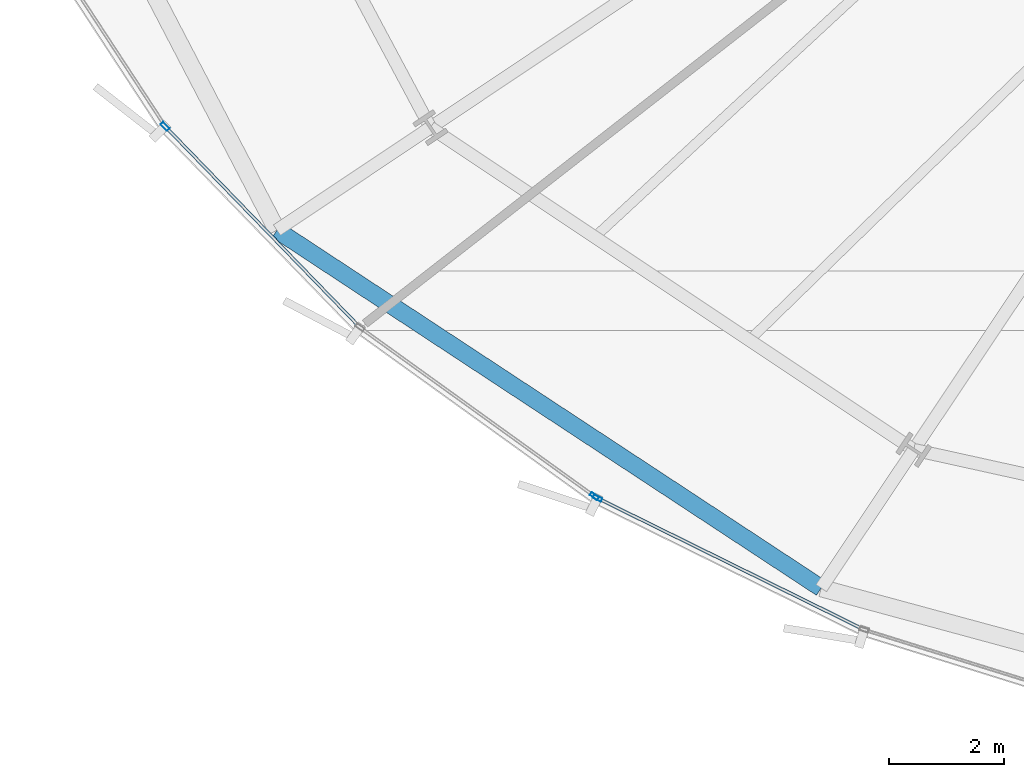
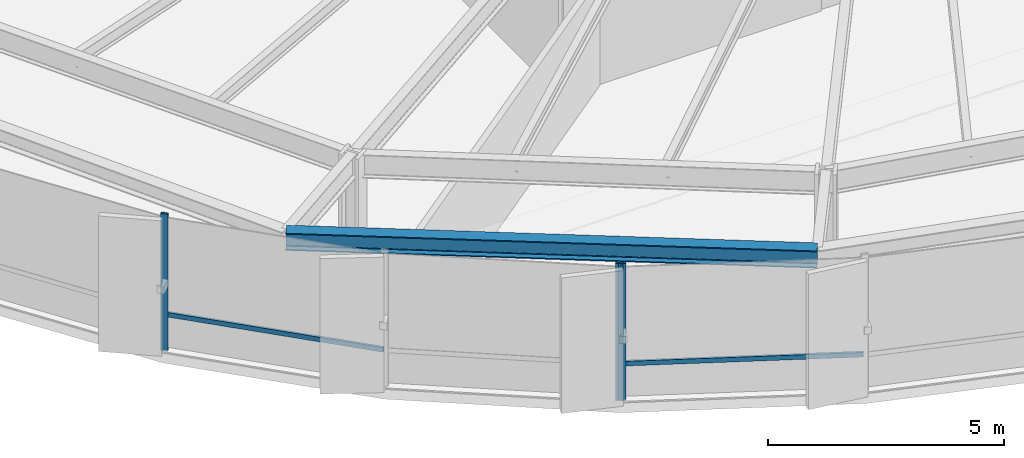
# One storey, part 2 of 39: 5 members, 1 beam, 2 elements without a shape of their own.
"""IFC4 building model written with IfcOpenShell, lengths in metres."""

from ifc_helpers import new_model, si_unit, direction, frame, origin, origin_2d, place, context, subcontext, project, spatial, hollow_rectangle, i_section, extrude, source, transform, mapped, material, layer, layer_set, material_profile, profile_set, type_object, element, aggregate, save


model = new_model("IFC4")

# Units and contexts
model_context = context("Model", 3, precision=1e-05, world=origin(), true_north=direction((0.0, 1.0)))
body_context = subcontext(model_context, "Body", "Model", "MODEL_VIEW")
ifc_project = project(units=[si_unit("LENGTHUNIT", "METRE"), si_unit("AREAUNIT", "SQUARE_METRE"), si_unit("VOLUMEUNIT", "CUBIC_METRE"), si_unit("PLANEANGLEUNIT", "RADIAN"), si_unit("MASSUNIT", "GRAM", prefix="KILO"), si_unit("THERMODYNAMICTEMPERATUREUNIT", "KELVIN")], contexts=[model_context])

# Site, building, storey
site_placement = place(None, origin())
site = spatial("IfcSite", under=ifc_project, at=site_placement, CompositionType="ELEMENT")
building_placement = place(site_placement, origin())
building = spatial("IfcBuilding", under=site, at=building_placement, Name="Kethvar Cultural Tower", CompositionType="ELEMENT")
storey_placement = place(building_placement, frame((0.0, 0.0, 44.800048828125)))
storey = spatial("IfcBuildingStorey", under=building, at=storey_placement, Name="L10", CompositionType="ELEMENT", Elevation=44.800048828125)

# Beam
ifc_material_1 = material(Name="Steel S355J2", Category="steel")
ifc_material_profile_1 = material_profile(ifc_material_1, i_section(OverallWidth=0.300048828125, OverallDepth=0.449951171875, WebThickness=0.013916015625, FlangeThickness=0.02587890625, FilletRadius=0.027099609375, at=origin_2d()), Name="Steel S355J2 — HEB450")
ifc_profile_set_1 = profile_set([ifc_material_profile_1], Name="Steel S355J2 — HEB450")
beam_type = type_object("IfcBeamType", Name="BM-SP450", PredefinedType="SPANDREL", material=ifc_profile_set_1)
shared_shape_1 = source(origin(), body_context, "Body", "SweptSolid", [
    extrude(i_section(OverallWidth=0.300048828125, OverallDepth=0.449951171875, WebThickness=0.013916015625, FlangeThickness=0.02587890625, FilletRadius=0.027099609375, at=origin_2d()), origin(), (0.0, 0.0, 1.0), 11.29296875),
])
beam_placement = place(storey_placement, frame((22.263916015625, 11.405517578125, 3.322998046875), z_axis=(0.83547663589, -0.549525969251, 0.0), x_axis=(0.549525969251, 0.83547663589, 0.0)))
element("IfcBeam", 1, at=beam_placement, inside=storey, type_object=beam_type, Name="L10 Perimeter Spandrel Beam SP-10", PredefinedType="SPANDREL", context=body_context, shape_type="MappedRepresentation", body=[
    mapped(shared_shape_1, transform((0.0, 0.0, 0.0), scale=1.0)),
])

# Curtain wall, members
ifc_material_2 = material(Name="Aluminium 6063-T6", Category="aluminium")
ifc_layer = layer(ifc_material_2, 0.179931640625, Name="Aluminium 6063-T6", Category="aluminium")
ifc_layer_set = layer_set([ifc_layer], Name="Aluminium 6063-T6 (180 mm)")
curtain_wall_type = type_object("IfcCurtainWallType", Name="CW-SYS-02-Z1", PredefinedType="NOTDEFINED", material=ifc_layer_set)
curtain_wall_1_placement = place(storey_placement, origin())
curtain_wall_1 = element("IfcCurtainWall", 2, at=curtain_wall_1_placement, inside=storey, type_object=curtain_wall_type, Name="L10 Curtain Wall Run 04", PredefinedType="NOTDEFINED")
ifc_material_profile_2 = material_profile(ifc_material_2, hollow_rectangle(XDim=0.06494140625, YDim=0.159912109375, WallThickness=0.0048828125, at=origin_2d()), Name="Aluminium 6063-T6 — RHS160x65x5")
ifc_profile_set_2 = profile_set([ifc_material_profile_2], Name="Aluminium 6063-T6 — RHS160x65x5")
member_type_1 = type_object("IfcMemberType", Name="CW-SYS-02-Z1-MUL", PredefinedType="MULLION", material=ifc_profile_set_2)
shared_shape_2 = source(origin(), body_context, "Body", "SweptSolid", [
    extrude(hollow_rectangle(XDim=0.06494140625, YDim=0.159912109375, WallThickness=0.0048828125, at=origin_2d()), origin(), (0.0, 0.0, 1.0), 3.550048828125),
])
member_1_placement = place(storey_placement, frame((20.32568359375, 13.204345703125, 0.0), z_axis=(0.0, 0.0, 1.0), x_axis=(0.71808985887, 0.695950396643, 0.0)))
member_1 = element("IfcMember", 3, at=member_1_placement, type_object=member_type_1, Name="CW-L10-R04 Mullion 5", PredefinedType="MULLION", context=body_context, shape_type="MappedRepresentation", body=[
    mapped(shared_shape_2, transform((0.0, 0.0, 0.0), scale=1.0)),
])
member_2_placement = place(storey_placement, frame((27.765625, 6.792724609375, 0.0), z_axis=(0.0, 0.0, 1.0), x_axis=(0.584178840222, 0.811624964276, 0.0)))
member_2 = element("IfcMember", 4, at=member_2_placement, type_object=member_type_1, Name="CW-L10-R04 Mullion 7", PredefinedType="MULLION", context=body_context, shape_type="MappedRepresentation", body=[
    mapped(shared_shape_2, transform((0.0, 0.0, 0.0), scale=1.0)),
])

curtain_wall_2_placement = place(storey_placement, origin())
curtain_wall_2 = element("IfcCurtainWall", 5, at=curtain_wall_2_placement, inside=storey, type_object=curtain_wall_type, Name="L10 Curtain Wall Run 05", PredefinedType="NOTDEFINED")
member_3_placement = place(storey_placement, frame((27.82080078125, 6.759521484375, 0.0), z_axis=(0.0, 0.0, 1.0), x_axis=(0.442382608088, 0.896826420252, 0.0)))
member_3 = element("IfcMember", 6, at=member_3_placement, type_object=member_type_1, Name="CW-L10-R05 Mullion 1", PredefinedType="MULLION", context=body_context, shape_type="MappedRepresentation", body=[
    mapped(shared_shape_2, transform((0.0, 0.0, 0.0), scale=1.0)),
])
ifc_material_profile_3 = material_profile(ifc_material_2, hollow_rectangle(XDim=0.054931640625, YDim=0.1201171875, WallThickness=0.00390625, at=origin_2d()), Name="Aluminium 6063-T6 — RHS120x55x4")
ifc_profile_set_3 = profile_set([ifc_material_profile_3], Name="Aluminium 6063-T6 — RHS120x55x4")
member_type_2 = type_object("IfcMemberType", Name="CW-SYS-02-Z1-TRN", PredefinedType="USERDEFINED", material=ifc_profile_set_3)
shared_shape_3 = source(origin(), body_context, "Body", "SweptSolid", [
    extrude(hollow_rectangle(XDim=0.054931640625, YDim=0.1201171875, WallThickness=0.00390625, at=origin_2d()), origin(), (0.0, 0.0, 1.0), 5.12109375),
])
member_4_placement = place(storey_placement, frame((27.824951171875, 6.757568359375, 0.949951171875), z_axis=(0.89681698129, -0.442401742843, 0.0), x_axis=(0.442401742843, 0.89681698129, 0.0)))
member_4 = element("IfcMember", 7, at=member_4_placement, type_object=member_type_2, Name="CW-L10-R05 Transom 1", ObjectType="TRANSOM", PredefinedType="USERDEFINED", context=body_context, shape_type="MappedRepresentation", body=[
    mapped(shared_shape_3, transform((0.0, 0.0, 0.0), scale=1.0)),
])
aggregate(curtain_wall_2, [member_3, member_4])

# Member
shared_shape_4 = source(origin(), body_context, "Body", "SweptSolid", [
    extrude(hollow_rectangle(XDim=0.054931640625, YDim=0.1201171875, WallThickness=0.00390625, at=origin_2d()), origin(), (0.0, 0.0, 1.0), 4.7822265625),
])
member_5_placement = place(storey_placement, frame((20.358154296875, 13.170654296875, 0.949951171875), z_axis=(0.695941696336, -0.718098290835, 0.0), x_axis=(0.718098290835, 0.695941696336, 0.0)))
member_5 = element("IfcMember", 8, at=member_5_placement, type_object=member_type_2, Name="CW-L10-R04 Transom 5", ObjectType="TRANSOM", PredefinedType="USERDEFINED", context=body_context, shape_type="MappedRepresentation", body=[
    mapped(shared_shape_4, transform((0.0, 0.0, 0.0), scale=1.0)),
])

aggregate(curtain_wall_1, [member_1, member_2, member_5])

save(model, "model.ifc")
